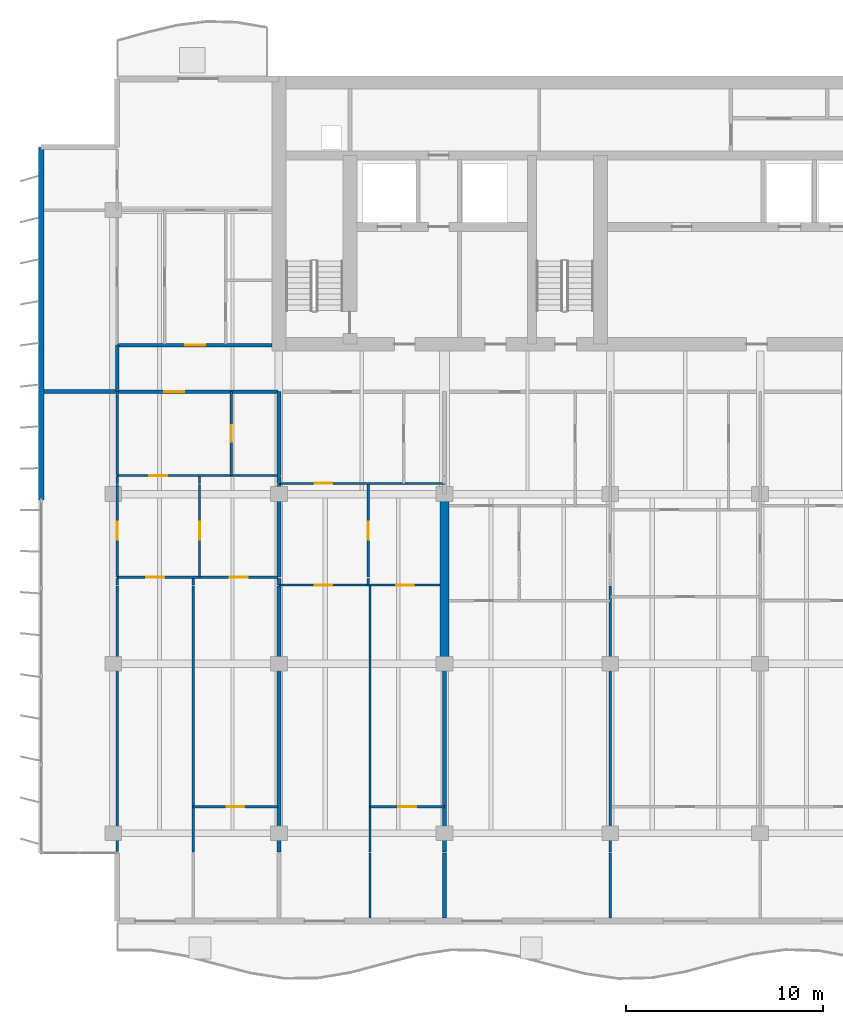
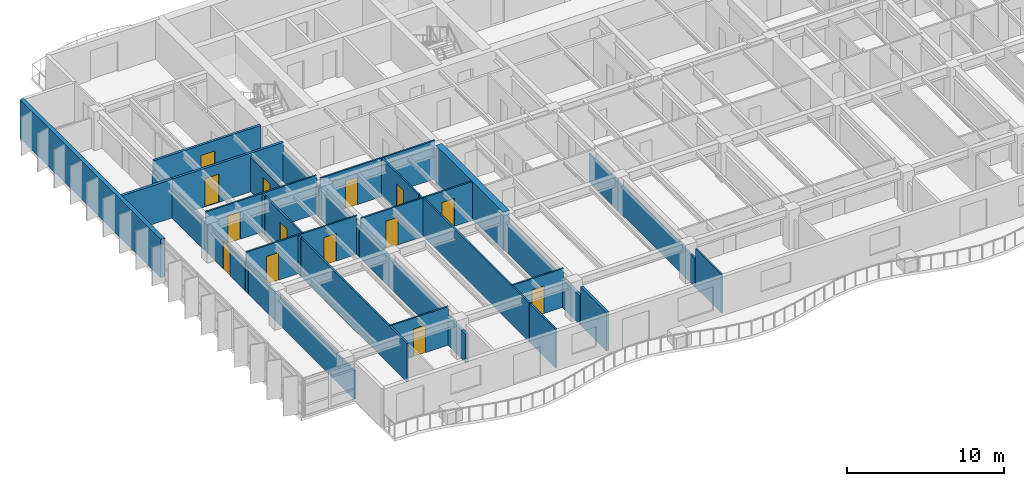
# One storey, part 8 of 18: 35 walls, 14 doors, 14 openings.
"""IFC4 building model written with IfcOpenShell, lengths in metres."""

from ifc_helpers import new_model, si_unit, direction, frame, frame_2d, origin, place, context, subcontext, project, spatial, rectangle, extrude, material, layer, layer_set, type_object, element, fill, save


model = new_model("IFC4")

# Units and contexts
model_context = context("Model", 3, precision=1e-05, world=origin(), true_north=direction((0.0, 1.0)))
body_context = subcontext(model_context, "Body", "Model", "MODEL_VIEW")
ifc_project = project(units=[si_unit("LENGTHUNIT", "METRE"), si_unit("AREAUNIT", "SQUARE_METRE"), si_unit("VOLUMEUNIT", "CUBIC_METRE"), si_unit("PLANEANGLEUNIT", "RADIAN"), si_unit("MASSUNIT", "GRAM", prefix="KILO")], contexts=[model_context])

# Site, building, storey
site_placement = place(None, origin())
site = spatial("IfcSite", under=ifc_project, at=site_placement, CompositionType="ELEMENT")
building_placement = place(site_placement, origin())
building = spatial("IfcBuilding", under=site, at=building_placement, Name="Caelmar Bay Residences", CompositionType="ELEMENT")
storey_placement = place(building_placement, frame((0.0, 0.0, 180.300048828125)))
storey = spatial("IfcBuildingStorey", under=building, at=storey_placement, Name="L50", CompositionType="ELEMENT", Elevation=180.300048828125)

# Walls
ifc_material_1 = material(Name="Concrete f'c 55 MPa (8,000 psi)", Category="concrete")
ifc_layer_1 = layer(ifc_material_1, 0.449951171875)
ifc_layer_set_1 = layer_set([ifc_layer_1], Name="Concrete f'c 55 MPa (8,000 psi)")
wall_type_1 = type_object("IfcWallType", Name="SW-XSLB-450", PredefinedType="SHEAR", material=ifc_layer_set_1)
wall_1_placement = place(storey_placement, frame((26.699951171875, 20.800048828125, 0.0), z_axis=(0.0, 0.0, 1.0), x_axis=(0.0, 1.0, 0.0)))
element("IfcWall", 1, at=wall_1_placement, inside=storey, type_object=wall_type_1, Name="L50 Transverse Cross-Slab Shear Wall W5", PredefinedType="SHEAR", context=body_context, shape_type="SweptSolid", body=[
    extrude(rectangle(XDim=8.599853515625, YDim=0.449951171875, at=frame_2d((4.2998046875, 0.0))), origin(), (0.0, 0.0, 1.0), 3.0),
])
ifc_material_2 = material(Name="Double-stud acoustic fire-rated gypsum partition 180 mm")
ifc_layer_2 = layer(ifc_material_2, 0.179931640625)
ifc_layer_set_2 = layer_set([ifc_layer_2], Name="Double-stud acoustic fire-rated gypsum partition 180 mm")
wall_type_2 = type_object("IfcWallType", Name="W-COR-200", PredefinedType="PARTITIONING", material=ifc_layer_set_2)
wall_2_placement = place(storey_placement, frame((10.10009765625, 34.60498046875, 0.0), z_axis=(0.0, 0.0, 1.0), x_axis=(0.0, 1.0, 0.0)))
element("IfcWall", 2, at=wall_2_placement, inside=storey, type_object=wall_type_2, Name="L50 Partition Wall V006", PredefinedType="PARTITIONING", context=body_context, shape_type="SweptSolid", body=[
    extrude(rectangle(XDim=2.344970703125, YDim=0.179931640625, at=frame_2d((1.17236328125, 0.0))), origin(), (0.0, 0.0, 1.0), 2.212890625),
])

# Wall, opening, door
wall_3_placement = place(storey_placement, frame((10.10498046875, 34.60009765625, 0.0), z_axis=(0.0, 0.0, 1.0), x_axis=(1.0, 0.0, 0.0)))
wall_3 = element("IfcWall", 3, at=wall_3_placement, inside=storey, type_object=wall_type_2, Name="L50 Partition Wall H129", PredefinedType="PARTITIONING", context=body_context, shape_type="SweptSolid", body=[
    extrude(rectangle(XDim=8.14501953125, YDim=0.179931640625, at=frame_2d((4.072509765625, 0.0))), origin(), (0.0, 0.0, 1.0), 3.0),
])
opening_1_placement = place(wall_3_placement, frame((2.388427734375, 0.0, 0.0)))
opening_1 = element("IfcOpeningElement", 4, at=opening_1_placement, cuts=wall_3, Name="Opening D-L50-121", PredefinedType="OPENING", context=body_context, shape_type="SweptSolid", body=[
    extrude(rectangle(XDim=1.0, YDim=2.199951171875, at=frame_2d((0.5, 1.10009765625))), frame((0.0, 0.099853515625, 0.0), z_axis=(0.0, -1.0, 0.0), x_axis=(1.0, 0.0, 0.0)), (0.0, 0.0, 1.0), 0.199951171875),
])
ifc_material_3 = material(Name="Fire-rated steel and walnut architectural door assembly", Category="steel")
ifc_layer_3 = layer(ifc_material_3, 0.050048828125)
ifc_layer_set_3 = layer_set([ifc_layer_3], Name="Fire-rated steel and walnut architectural door assembly")
door_type_1 = type_object("IfcDoorType", Name="D-UNIT-1000", OperationType="NOTDEFINED", PredefinedType="DOOR", material=ifc_layer_set_3)
door_1_placement = place(opening_1_placement, origin())
door_1 = element("IfcDoor", 5, at=door_1_placement, inside=storey, type_object=door_type_1, Name="L50 Residence 01 Apartment Hall Door", OperationType="SINGLE_SWING_RIGHT", OverallHeight=2.199951171875, OverallWidth=1.0, PredefinedType="DOOR", context=body_context, shape_type="SweptSolid", body=[
    extrude(rectangle(XDim=1.0, YDim=2.199951171875, at=frame_2d((0.5, 1.10009765625))), frame((0.0, 0.02490234375, 0.0), z_axis=(0.0, -1.0, 0.0), x_axis=(1.0, 0.0, 0.0)), (0.0, 0.0, 1.0), 0.050048828125),
])
fill(opening_1, door_1)

wall_4_placement = place(storey_placement, frame((10.10009765625, 36.949951171875, 0.0), z_axis=(0.0, 0.0, 1.0), x_axis=(1.0, 0.0, 0.0)))
wall_4 = element("IfcWall", 6, at=wall_4_placement, inside=storey, type_object=wall_type_2, Name="L50 Partition Wall H134", PredefinedType="PARTITIONING", context=body_context, shape_type="SweptSolid", body=[
    extrude(rectangle(XDim=7.844970703125, YDim=0.179931640625, at=frame_2d((3.92236328125, 0.0))), origin(), (0.0, 0.0, 1.0), 3.0),
])
opening_2_placement = place(wall_4_placement, frame((3.4599609375, 0.0, 0.0)))
opening_2 = element("IfcOpeningElement", 7, at=opening_2_placement, cuts=wall_4, Name="Opening D-L50-167", PredefinedType="OPENING", context=body_context, shape_type="SweptSolid", body=[
    extrude(rectangle(XDim=1.0, YDim=2.199951171875, at=frame_2d((0.5, 1.10009765625))), frame((0.0, 0.099853515625, 0.0), z_axis=(0.0, -1.0, 0.0), x_axis=(1.0, 0.0, 0.0)), (0.0, 0.0, 1.0), 0.199951171875),
])
door_2_placement = place(opening_2_placement, origin())
door_2 = element("IfcDoor", 8, at=door_2_placement, inside=storey, type_object=door_type_1, Name="L50 Residence WA Kitchen Door", OperationType="SINGLE_SWING_RIGHT", OverallHeight=2.199951171875, OverallWidth=1.0, PredefinedType="DOOR", context=body_context, shape_type="SweptSolid", body=[
    extrude(rectangle(XDim=1.0, YDim=2.199951171875, at=frame_2d((0.5, 1.10009765625))), frame((0.0, 0.02490234375, 0.0), z_axis=(0.0, -1.0, 0.0), x_axis=(1.0, 0.0, 0.0)), (0.0, 0.0, 1.0), 0.050048828125),
])
fill(opening_2, door_2)

# Walls
ifc_material_4 = material(Name="Precast concrete f'c 40 MPa (6,000 psi)", Category="concrete")
ifc_layer_4 = layer(ifc_material_4, 0.300048828125)
ifc_layer_set_4 = layer_set([ifc_layer_4], Name="Precast concrete f'c 40 MPa (6,000 psi)")
wall_type_3 = type_object("IfcWallType", Name="W-EXT-300", PredefinedType="STANDARD", material=ifc_layer_set_4)
wall_5_placement = place(storey_placement, frame((6.25, 29.10009765625, 0.0), z_axis=(0.0, 0.0, 1.0), x_axis=(0.0, 1.0, 0.0)))
element("IfcWall", 9, at=wall_5_placement, inside=storey, type_object=wall_type_3, Name="L50 West Rear Exterior Wall", PredefinedType="STANDARD", context=body_context, shape_type="SweptSolid", body=[
    extrude(rectangle(XDim=17.89990234375, YDim=0.300048828125, at=frame_2d((8.949951171875, 0.0))), origin(), (0.0, 0.0, 1.0), 3.0),
])
ifc_material_5 = material(Name="Acoustic metal-stud gypsum partition 120 mm")
ifc_layer_5 = layer(ifc_material_5, 0.1201171875)
ifc_layer_set_5 = layer_set([ifc_layer_5], Name="Acoustic metal-stud gypsum partition 120 mm")
wall_type_4 = type_object("IfcWallType", Name="W-PRT-120", PredefinedType="PARTITIONING", material=ifc_layer_set_5)
wall_6_placement = place(storey_placement, frame((10.10009765625, 11.284912109375, 0.0), z_axis=(0.0, 0.0, 1.0), x_axis=(0.0, 1.0, 0.0)))
element("IfcWall", 10, at=wall_6_placement, inside=storey, type_object=wall_type_4, Name="L50 Partition Wall V001", PredefinedType="PARTITIONING", context=body_context, shape_type="SweptSolid", body=[
    extrude(rectangle(XDim=13.445068359375, YDim=0.1201171875, at=frame_2d((6.72265625, 0.0))), origin(), (0.0, 0.0, 1.0), 2.212890625),
])
wall_7_placement = place(storey_placement, frame((10.10009765625, 24.7900390625, 0.0), z_axis=(0.0, 0.0, 1.0), x_axis=(0.0, 1.0, 0.0)))
element("IfcWall", 11, at=wall_7_placement, inside=storey, type_object=wall_type_4, Name="L50 Partition Wall V002", PredefinedType="PARTITIONING", context=body_context, shape_type="SweptSolid", body=[
    extrude(rectangle(XDim=0.33984375, YDim=0.1201171875, at=frame_2d((0.169921875, 0.0))), origin(), (0.0, 0.0, 1.0), 2.212890625),
])

# Wall, opening, door
wall_8_placement = place(storey_placement, frame((10.10009765625, 25.18994140625, 0.0), z_axis=(0.0, 0.0, 1.0), x_axis=(0.0, 1.0, 0.0)))
wall_8 = element("IfcWall", 12, at=wall_8_placement, inside=storey, type_object=wall_type_4, Name="L50 Partition Wall V003", PredefinedType="PARTITIONING", context=body_context, shape_type="SweptSolid", body=[
    extrude(rectangle(XDim=4.68994140625, YDim=0.1201171875, at=frame_2d((2.344970703125, 0.0))), origin(), (0.0, 0.0, 1.0), 2.212890625),
])
opening_3_placement = place(wall_8_placement, frame((1.89501953125, 0.0, 0.0)))
opening_3 = element("IfcOpeningElement", 13, at=opening_3_placement, cuts=wall_8, Name="Opening D-L50-164", PredefinedType="OPENING", context=body_context, shape_type="SweptSolid", body=[
    extrude(rectangle(XDim=0.89990234375, YDim=2.14990234375, at=frame_2d((0.449951171875, 1.074951171875))), frame((0.0, 0.070068359375, 0.0), z_axis=(0.0, -1.0, 0.0), x_axis=(1.0, 0.0, 0.0)), (0.0, 0.0, 1.0), 0.14013671875),
])
ifc_material_6 = material(Name="Solid walnut timber interior door leaf and frame", Category="wood")
ifc_layer_6 = layer(ifc_material_6, 0.050048828125)
ifc_layer_set_6 = layer_set([ifc_layer_6], Name="Solid walnut timber interior door leaf and frame")
door_type_2 = type_object("IfcDoorType", Name="D-ROOM-900", OperationType="NOTDEFINED", PredefinedType="DOOR", material=ifc_layer_set_6)
door_3_placement = place(opening_3_placement, origin())
door_3 = element("IfcDoor", 14, at=door_3_placement, inside=storey, type_object=door_type_2, Name="L50 Residence 01 Penthouse West Salon Door", OperationType="SINGLE_SWING_LEFT", OverallHeight=2.14990234375, OverallWidth=0.89990234375, PredefinedType="DOOR", context=body_context, shape_type="SweptSolid", body=[
    extrude(rectangle(XDim=0.89990234375, YDim=2.14990234375, at=frame_2d((0.449951171875, 1.074951171875))), frame((0.0, 0.02490234375, 0.0), z_axis=(0.0, -1.0, 0.0), x_axis=(1.0, 0.0, 0.0)), (0.0, 0.0, 1.0), 0.050048828125),
])
fill(opening_3, door_3)

# Walls
wall_9_placement = place(storey_placement, frame((10.10009765625, 29.93994140625, 0.0), z_axis=(0.0, 0.0, 1.0), x_axis=(0.0, 1.0, 0.0)))
element("IfcWall", 15, at=wall_9_placement, inside=storey, type_object=wall_type_4, Name="L50 Partition Wall V004", PredefinedType="PARTITIONING", context=body_context, shape_type="SweptSolid", body=[
    extrude(rectangle(XDim=0.340087890625, YDim=0.1201171875, at=frame_2d((0.169921875, 0.0))), origin(), (0.0, 0.0, 1.0), 2.212890625),
])
wall_10_placement = place(storey_placement, frame((10.10009765625, 30.340087890625, 0.0), z_axis=(0.0, 0.0, 1.0), x_axis=(0.0, 1.0, 0.0)))
element("IfcWall", 16, at=wall_10_placement, inside=storey, type_object=wall_type_4, Name="L50 Partition Wall V005", PredefinedType="PARTITIONING", context=body_context, shape_type="SweptSolid", body=[
    extrude(rectangle(XDim=4.260009765625, YDim=0.1201171875, at=frame_2d((2.1298828125, 0.0))), origin(), (0.0, 0.0, 1.0), 2.212890625),
])
wall_11_placement = place(storey_placement, frame((13.9541015625, 11.239990234375, 0.0), z_axis=(0.0, 0.0, 1.0), x_axis=(0.0, 1.0, 0.0)))
element("IfcWall", 17, at=wall_11_placement, inside=storey, type_object=wall_type_4, Name="L50 Partition Wall V011", PredefinedType="PARTITIONING", context=body_context, shape_type="SweptSolid", body=[
    extrude(rectangle(XDim=13.489990234375, YDim=0.1201171875, at=frame_2d((6.7451171875, 0.0))), origin(), (0.0, 0.0, 1.0), 3.0),
])
wall_12_placement = place(storey_placement, frame((13.9541015625, 24.7900390625, 0.0), z_axis=(0.0, 0.0, 1.0), x_axis=(0.0, 1.0, 0.0)))
element("IfcWall", 18, at=wall_12_placement, inside=storey, type_object=wall_type_4, Name="L50 Partition Wall V012", PredefinedType="PARTITIONING", context=body_context, shape_type="SweptSolid", body=[
    extrude(rectangle(XDim=0.33984375, YDim=0.1201171875, at=frame_2d((0.169921875, 0.0))), origin(), (0.0, 0.0, 1.0), 3.0),
])

# Wall, opening, door
wall_13_placement = place(storey_placement, frame((14.278076171875, 25.18994140625, 0.0), z_axis=(0.0, 0.0, 1.0), x_axis=(0.0, 1.0, 0.0)))
wall_13 = element("IfcWall", 19, at=wall_13_placement, inside=storey, type_object=wall_type_4, Name="L50 Partition Wall V013", PredefinedType="PARTITIONING", context=body_context, shape_type="SweptSolid", body=[
    extrude(rectangle(XDim=4.68994140625, YDim=0.1201171875, at=frame_2d((2.344970703125, 0.0))), origin(), (0.0, 0.0, 1.0), 3.0),
])
opening_4_placement = place(wall_13_placement, frame((1.89501953125, 0.0, 0.0)))
opening_4 = element("IfcOpeningElement", 20, at=opening_4_placement, cuts=wall_13, Name="Opening D-L50-124", PredefinedType="OPENING", context=body_context, shape_type="SweptSolid", body=[
    extrude(rectangle(XDim=0.89990234375, YDim=2.14990234375, at=frame_2d((0.449951171875, 1.074951171875))), frame((0.0, 0.070068359375, 0.0), z_axis=(0.0, -1.0, 0.0), x_axis=(1.0, 0.0, 0.0)), (0.0, 0.0, 1.0), 0.14013671875),
])
door_4_placement = place(opening_4_placement, origin())
door_4 = element("IfcDoor", 21, at=door_4_placement, inside=storey, type_object=door_type_2, Name="L50 Residence 01 Formal Dining Room Door", OperationType="SINGLE_SWING_LEFT", OverallHeight=2.14990234375, OverallWidth=0.89990234375, PredefinedType="DOOR", context=body_context, shape_type="SweptSolid", body=[
    extrude(rectangle(XDim=0.89990234375, YDim=2.14990234375, at=frame_2d((0.449951171875, 1.074951171875))), frame((0.0, 0.02490234375, 0.0), z_axis=(0.0, -1.0, 0.0), x_axis=(1.0, 0.0, 0.0)), (0.0, 0.0, 1.0), 0.050048828125),
])
fill(opening_4, door_4)

# Wall
wall_14_placement = place(storey_placement, frame((14.278076171875, 29.93994140625, 0.0), z_axis=(0.0, 0.0, 1.0), x_axis=(0.0, 1.0, 0.0)))
element("IfcWall", 22, at=wall_14_placement, inside=storey, type_object=wall_type_4, Name="L50 Partition Wall V014", PredefinedType="PARTITIONING", context=body_context, shape_type="SweptSolid", body=[
    extrude(rectangle(XDim=0.340087890625, YDim=0.1201171875, at=frame_2d((0.169921875, 0.0))), origin(), (0.0, 0.0, 1.0), 3.0),
])

# Wall, opening, door
wall_15_placement = place(storey_placement, frame((15.882080078125, 30.340087890625, 0.0), z_axis=(0.0, 0.0, 1.0), x_axis=(0.0, 1.0, 0.0)))
wall_15 = element("IfcWall", 23, at=wall_15_placement, inside=storey, type_object=wall_type_4, Name="L50 Partition Wall V016", PredefinedType="PARTITIONING", context=body_context, shape_type="SweptSolid", body=[
    extrude(rectangle(XDim=4.260009765625, YDim=0.1201171875, at=frame_2d((2.1298828125, 0.0))), origin(), (0.0, 0.0, 1.0), 2.675048828125),
])
opening_5_placement = place(wall_15_placement, frame((1.705078125, 0.0, 0.0)))
opening_5 = element("IfcOpeningElement", 24, at=opening_5_placement, cuts=wall_15, Name="Opening D-L50-122", PredefinedType="OPENING", context=body_context, shape_type="SweptSolid", body=[
    extrude(rectangle(XDim=0.85009765625, YDim=2.10009765625, at=frame_2d((0.425048828125, 1.050048828125))), frame((0.0, 0.070068359375, 0.0), z_axis=(0.0, -1.0, 0.0), x_axis=(1.0, 0.0, 0.0)), (0.0, 0.0, 1.0), 0.14013671875),
])
ifc_layer_7 = layer(ifc_material_6, 0.050048828125)
ifc_layer_set_7 = layer_set([ifc_layer_7], Name="Solid walnut timber interior door leaf and frame")
door_type_3 = type_object("IfcDoorType", Name="D-BATH-850", OperationType="NOTDEFINED", PredefinedType="DOOR", material=ifc_layer_set_7)
door_5_placement = place(opening_5_placement, origin())
door_5 = element("IfcDoor", 25, at=door_5_placement, inside=storey, type_object=door_type_3, Name="L50 Residence 01 Bathroom Door", OperationType="SINGLE_SWING_LEFT", OverallHeight=2.10009765625, OverallWidth=0.85009765625, PredefinedType="DOOR", context=body_context, shape_type="SweptSolid", body=[
    extrude(rectangle(XDim=0.85009765625, YDim=2.10009765625, at=frame_2d((0.425048828125, 1.050048828125))), frame((0.0, 0.02490234375, 0.0), z_axis=(0.0, -1.0, 0.0), x_axis=(1.0, 0.0, 0.0)), (0.0, 0.0, 1.0), 0.050048828125),
])
fill(opening_5, door_5)

# Wall
wall_16_placement = place(storey_placement, frame((22.8359375, 24.7900390625, 0.0), z_axis=(0.0, 0.0, 1.0), x_axis=(0.0, 1.0, 0.0)))
element("IfcWall", 26, at=wall_16_placement, inside=storey, type_object=wall_type_4, Name="L50 Partition Wall V024", PredefinedType="PARTITIONING", context=body_context, shape_type="SweptSolid", body=[
    extrude(rectangle(XDim=0.33984375, YDim=0.1201171875, at=frame_2d((0.169921875, 0.0))), origin(), (0.0, 0.0, 1.0), 3.0),
])

# Wall, opening, door
wall_17_placement = place(storey_placement, frame((22.8359375, 25.18994140625, 0.0), z_axis=(0.0, 0.0, 1.0), x_axis=(0.0, 1.0, 0.0)))
wall_17 = element("IfcWall", 27, at=wall_17_placement, inside=storey, type_object=wall_type_4, Name="L50 Partition Wall V025", PredefinedType="PARTITIONING", context=body_context, shape_type="SweptSolid", body=[
    extrude(rectangle(XDim=4.68994140625, YDim=0.1201171875, at=frame_2d((2.344970703125, 0.0))), origin(), (0.0, 0.0, 1.0), 3.0),
])
opening_6_placement = place(wall_17_placement, frame((1.89501953125, 0.0, 0.0)))
opening_6 = element("IfcOpeningElement", 28, at=opening_6_placement, cuts=wall_17, Name="Opening D-L50-131", PredefinedType="OPENING", context=body_context, shape_type="SweptSolid", body=[
    extrude(rectangle(XDim=0.89990234375, YDim=2.14990234375, at=frame_2d((0.449951171875, 1.074951171875))), frame((0.0, 0.070068359375, 0.0), z_axis=(0.0, -1.0, 0.0), x_axis=(1.0, 0.0, 0.0)), (0.0, 0.0, 1.0), 0.14013671875),
])
door_6_placement = place(opening_6_placement, origin())
door_6 = element("IfcDoor", 29, at=door_6_placement, inside=storey, type_object=door_type_2, Name="L50 Residence 02 Formal Dining Room Door", OperationType="SINGLE_SWING_RIGHT", OverallHeight=2.14990234375, OverallWidth=0.89990234375, PredefinedType="DOOR", context=body_context, shape_type="SweptSolid", body=[
    extrude(rectangle(XDim=0.89990234375, YDim=2.14990234375, at=frame_2d((0.449951171875, 1.074951171875))), frame((0.0, 0.02490234375, 0.0), z_axis=(0.0, -1.0, 0.0), x_axis=(1.0, 0.0, 0.0)), (0.0, 0.0, 1.0), 0.050048828125),
])
fill(opening_6, door_6)

# Walls
wall_18_placement = place(storey_placement, frame((22.919921875, 7.89501953125, 0.0), z_axis=(0.0, 0.0, 1.0), x_axis=(0.0, 1.0, 0.0)))
element("IfcWall", 30, at=wall_18_placement, inside=storey, type_object=wall_type_4, Name="L50 Partition Wall V026", PredefinedType="PARTITIONING", context=body_context, shape_type="SweptSolid", body=[
    extrude(rectangle(XDim=3.304931640625, YDim=0.1201171875, at=frame_2d((1.65234375, 0.0))), origin(), (0.0, 0.0, 1.0), 3.0),
])
wall_19_placement = place(storey_placement, frame((22.919921875, 11.239990234375, 0.0), z_axis=(0.0, 0.0, 1.0), x_axis=(0.0, 1.0, 0.0)))
element("IfcWall", 31, at=wall_19_placement, inside=storey, type_object=wall_type_4, Name="L50 Partition Wall V027", PredefinedType="PARTITIONING", context=body_context, shape_type="SweptSolid", body=[
    extrude(rectangle(XDim=13.489990234375, YDim=0.1201171875, at=frame_2d((6.7451171875, 0.0))), origin(), (0.0, 0.0, 1.0), 3.0),
])
wall_20_placement = place(storey_placement, frame((35.10009765625, 7.89501953125, 0.0), z_axis=(0.0, 0.0, 1.0), x_axis=(0.0, 1.0, 0.0)))
element("IfcWall", 32, at=wall_20_placement, inside=storey, type_object=wall_type_4, Name="L50 Partition Wall V045", PredefinedType="PARTITIONING", context=body_context, shape_type="SweptSolid", body=[
    extrude(rectangle(XDim=3.304931640625, YDim=0.1201171875, at=frame_2d((1.65234375, 0.0))), origin(), (0.0, 0.0, 1.0), 3.0),
])
wall_21_placement = place(storey_placement, frame((35.10009765625, 11.239990234375, 0.0), z_axis=(0.0, 0.0, 1.0), x_axis=(0.0, 1.0, 0.0)))
element("IfcWall", 33, at=wall_21_placement, inside=storey, type_object=wall_type_4, Name="L50 Partition Wall V046", PredefinedType="PARTITIONING", context=body_context, shape_type="SweptSolid", body=[
    extrude(rectangle(XDim=13.489990234375, YDim=0.1201171875, at=frame_2d((6.7451171875, 0.0))), origin(), (0.0, 0.0, 1.0), 2.212890625),
])

# Wall, opening, door
wall_22_placement = place(storey_placement, frame((13.9541015625, 13.550048828125, 0.0), z_axis=(0.0, 0.0, 1.0), x_axis=(1.0, 0.0, 0.0)))
wall_22 = element("IfcWall", 34, at=wall_22_placement, inside=storey, type_object=wall_type_4, Name="L50 Partition Wall H106", PredefinedType="PARTITIONING", context=body_context, shape_type="SweptSolid", body=[
    extrude(rectangle(XDim=4.2958984375, YDim=0.1201171875, at=frame_2d((2.14794921875, 0.0))), origin(), (0.0, 0.0, 1.0), 3.0),
])
opening_7_placement = place(wall_22_placement, frame((1.697998046875, 0.0, 0.0)))
opening_7 = element("IfcOpeningElement", 35, at=opening_7_placement, cuts=wall_22, Name="Opening D-L50-127", PredefinedType="OPENING", context=body_context, shape_type="SweptSolid", body=[
    extrude(rectangle(XDim=0.89990234375, YDim=2.14990234375, at=frame_2d((0.449951171875, 1.074951171875))), frame((0.0, 0.070068359375, 0.0), z_axis=(0.0, -1.0, 0.0), x_axis=(1.0, 0.0, 0.0)), (0.0, 0.0, 1.0), 0.14013671875),
])
door_7_placement = place(opening_7_placement, origin())
door_7 = element("IfcDoor", 36, at=door_7_placement, inside=storey, type_object=door_type_2, Name="L50 Residence 01 Primary Bedroom Door", OperationType="SINGLE_SWING_RIGHT", OverallHeight=2.14990234375, OverallWidth=0.89990234375, PredefinedType="DOOR", context=body_context, shape_type="SweptSolid", body=[
    extrude(rectangle(XDim=0.89990234375, YDim=2.14990234375, at=frame_2d((0.449951171875, 1.074951171875))), frame((0.0, 0.02490234375, 0.0), z_axis=(0.0, -1.0, 0.0), x_axis=(1.0, 0.0, 0.0)), (0.0, 0.0, 1.0), 0.050048828125),
])
fill(opening_7, door_7)

wall_23_placement = place(storey_placement, frame((22.919921875, 13.550048828125, 0.0), z_axis=(0.0, 0.0, 1.0), x_axis=(1.0, 0.0, 0.0)))
wall_23 = element("IfcWall", 37, at=wall_23_placement, inside=storey, type_object=wall_type_4, Name="L50 Partition Wall H107", PredefinedType="PARTITIONING", context=body_context, shape_type="SweptSolid", body=[
    extrude(rectangle(XDim=3.780029296875, YDim=0.1201171875, at=frame_2d((1.89013671875, 0.0))), origin(), (0.0, 0.0, 1.0), 3.0),
])
opening_8_placement = place(wall_23_placement, frame((1.43994140625, 0.0, 0.0)))
opening_8 = element("IfcOpeningElement", 38, at=opening_8_placement, cuts=wall_23, Name="Opening D-L50-134", PredefinedType="OPENING", context=body_context, shape_type="SweptSolid", body=[
    extrude(rectangle(XDim=0.89990234375, YDim=2.14990234375, at=frame_2d((0.449951171875, 1.074951171875))), frame((0.0, 0.070068359375, 0.0), z_axis=(0.0, -1.0, 0.0), x_axis=(1.0, 0.0, 0.0)), (0.0, 0.0, 1.0), 0.14013671875),
])
door_8_placement = place(opening_8_placement, origin())
door_8 = element("IfcDoor", 39, at=door_8_placement, inside=storey, type_object=door_type_2, Name="L50 Residence 02 Primary Bedroom Door", OperationType="SINGLE_SWING_LEFT", OverallHeight=2.14990234375, OverallWidth=0.89990234375, PredefinedType="DOOR", context=body_context, shape_type="SweptSolid", body=[
    extrude(rectangle(XDim=0.89990234375, YDim=2.14990234375, at=frame_2d((0.449951171875, 1.074951171875))), frame((0.0, 0.02490234375, 0.0), z_axis=(0.0, -1.0, 0.0), x_axis=(1.0, 0.0, 0.0)), (0.0, 0.0, 1.0), 0.050048828125),
])
fill(opening_8, door_8)

# Wall, openings, doors
wall_24_placement = place(storey_placement, frame((18.300048828125, 24.7900390625, 0.0), z_axis=(0.0, 0.0, 1.0), x_axis=(1.0, 0.0, 0.0)))
wall_24 = element("IfcWall", 40, at=wall_24_placement, inside=storey, type_object=wall_type_4, Name="L50 Partition Wall H116", PredefinedType="PARTITIONING", context=body_context, shape_type="SweptSolid", body=[
    extrude(rectangle(XDim=8.179931640625, YDim=0.1201171875, at=frame_2d((4.08984375, 0.0))), origin(), (0.0, 0.0, 1.0), 3.0),
])
opening_9_placement = place(wall_24_placement, frame((1.818115234375, 0.0, 0.0)))
opening_9 = element("IfcOpeningElement", 41, at=opening_9_placement, cuts=wall_24, Name="Opening D-L50-132", PredefinedType="OPENING", context=body_context, shape_type="SweptSolid", body=[
    extrude(rectangle(XDim=0.89990234375, YDim=2.14990234375, at=frame_2d((0.449951171875, 1.074951171875))), frame((0.0, 0.070068359375, 0.0), z_axis=(0.0, -1.0, 0.0), x_axis=(1.0, 0.0, 0.0)), (0.0, 0.0, 1.0), 0.14013671875),
])
opening_10_placement = place(wall_24_placement, frame((5.949951171875, 0.0, 0.0)))
opening_10 = element("IfcOpeningElement", 42, at=opening_10_placement, cuts=wall_24, Name="Opening D-L50-133", PredefinedType="OPENING", context=body_context, shape_type="SweptSolid", body=[
    extrude(rectangle(XDim=0.89990234375, YDim=2.14990234375, at=frame_2d((0.449951171875, 1.074951171875))), frame((0.0, 0.070068359375, 0.0), z_axis=(0.0, -1.0, 0.0), x_axis=(1.0, 0.0, 0.0)), (0.0, 0.0, 1.0), 0.14013671875),
])
door_9_placement = place(opening_9_placement, origin())
door_9 = element("IfcDoor", 43, at=door_9_placement, inside=storey, type_object=door_type_2, Name="L50 Residence 02 Penthouse Living Salon Door", OperationType="SINGLE_SWING_LEFT", OverallHeight=2.14990234375, OverallWidth=0.89990234375, PredefinedType="DOOR", context=body_context, shape_type="SweptSolid", body=[
    extrude(rectangle(XDim=0.89990234375, YDim=2.14990234375, at=frame_2d((0.449951171875, 1.074951171875))), frame((0.0, 0.02490234375, 0.0), z_axis=(0.0, -1.0, 0.0), x_axis=(1.0, 0.0, 0.0)), (0.0, 0.0, 1.0), 0.050048828125),
])
fill(opening_9, door_9)
door_10_placement = place(opening_10_placement, origin())
door_10 = element("IfcDoor", 44, at=door_10_placement, inside=storey, type_object=door_type_2, Name="L50 Residence 02 Penthouse Sitting Room Door", OperationType="SINGLE_SWING_RIGHT", OverallHeight=2.14990234375, OverallWidth=0.89990234375, PredefinedType="DOOR", context=body_context, shape_type="SweptSolid", body=[
    extrude(rectangle(XDim=0.89990234375, YDim=2.14990234375, at=frame_2d((0.449951171875, 1.074951171875))), frame((0.0, 0.02490234375, 0.0), z_axis=(0.0, -1.0, 0.0), x_axis=(1.0, 0.0, 0.0)), (0.0, 0.0, 1.0), 0.050048828125),
])
fill(opening_10, door_10)

wall_25_placement = place(storey_placement, frame((10.10009765625, 25.18994140625, 0.0), z_axis=(0.0, 0.0, 1.0), x_axis=(1.0, 0.0, 0.0)))
wall_25 = element("IfcWall", 45, at=wall_25_placement, inside=storey, type_object=wall_type_4, Name="L50 Partition Wall H119", PredefinedType="PARTITIONING", context=body_context, shape_type="SweptSolid", body=[
    extrude(rectangle(XDim=8.14990234375, YDim=0.1201171875, at=frame_2d((4.074951171875, 0.0))), origin(), (0.0, 0.0, 1.0), 3.0),
])
opening_11_placement = place(wall_25_placement, frame((1.47705078125, 0.0, 0.0)))
opening_11 = element("IfcOpeningElement", 46, at=opening_11_placement, cuts=wall_25, Name="Opening D-L50-125", PredefinedType="OPENING", context=body_context, shape_type="SweptSolid", body=[
    extrude(rectangle(XDim=0.89990234375, YDim=2.14990234375, at=frame_2d((0.449951171875, 1.074951171875))), frame((0.0, 0.070068359375, 0.0), z_axis=(0.0, -1.0, 0.0), x_axis=(1.0, 0.0, 0.0)), (0.0, 0.0, 1.0), 0.14013671875),
])
opening_12_placement = place(wall_25_placement, frame((5.714111328125, 0.0, 0.0)))
opening_12 = element("IfcOpeningElement", 47, at=opening_12_placement, cuts=wall_25, Name="Opening D-L50-126", PredefinedType="OPENING", context=body_context, shape_type="SweptSolid", body=[
    extrude(rectangle(XDim=0.89990234375, YDim=2.14990234375, at=frame_2d((0.449951171875, 1.074951171875))), frame((0.0, 0.070068359375, 0.0), z_axis=(0.0, -1.0, 0.0), x_axis=(1.0, 0.0, 0.0)), (0.0, 0.0, 1.0), 0.14013671875),
])
door_11_placement = place(opening_11_placement, origin())
door_11 = element("IfcDoor", 48, at=door_11_placement, inside=storey, type_object=door_type_2, Name="L50 Residence 01 Living Room Door", OperationType="SINGLE_SWING_RIGHT", OverallHeight=2.14990234375, OverallWidth=0.89990234375, PredefinedType="DOOR", context=body_context, shape_type="SweptSolid", body=[
    extrude(rectangle(XDim=0.89990234375, YDim=2.14990234375, at=frame_2d((0.449951171875, 1.074951171875))), frame((0.0, 0.02490234375, 0.0), z_axis=(0.0, -1.0, 0.0), x_axis=(1.0, 0.0, 0.0)), (0.0, 0.0, 1.0), 0.050048828125),
])
fill(opening_11, door_11)
door_12_placement = place(opening_12_placement, origin())
door_12 = element("IfcDoor", 49, at=door_12_placement, inside=storey, type_object=door_type_2, Name="L50 Residence 01 Penthouse Sitting Room Door", OperationType="SINGLE_SWING_LEFT", OverallHeight=2.14990234375, OverallWidth=0.89990234375, PredefinedType="DOOR", context=body_context, shape_type="SweptSolid", body=[
    extrude(rectangle(XDim=0.89990234375, YDim=2.14990234375, at=frame_2d((0.449951171875, 1.074951171875))), frame((0.0, 0.02490234375, 0.0), z_axis=(0.0, -1.0, 0.0), x_axis=(1.0, 0.0, 0.0)), (0.0, 0.0, 1.0), 0.050048828125),
])
fill(opening_12, door_12)

# Wall, opening, door
wall_26_placement = place(storey_placement, frame((18.300048828125, 29.93994140625, 0.0), z_axis=(0.0, 0.0, 1.0), x_axis=(1.0, 0.0, 0.0)))
wall_26 = element("IfcWall", 50, at=wall_26_placement, inside=storey, type_object=wall_type_4, Name="L50 Partition Wall H124", PredefinedType="PARTITIONING", context=body_context, shape_type="SweptSolid", body=[
    extrude(rectangle(XDim=8.39990234375, YDim=0.1201171875, at=frame_2d((4.199951171875, 0.0))), origin(), (0.0, 0.0, 1.0), 3.0),
])
opening_13_placement = place(wall_26_placement, frame((1.818115234375, 0.0, 0.0)))
opening_13 = element("IfcOpeningElement", 51, at=opening_13_placement, cuts=wall_26, Name="Opening D-L50-130", PredefinedType="OPENING", context=body_context, shape_type="SweptSolid", body=[
    extrude(rectangle(XDim=0.89990234375, YDim=2.14990234375, at=frame_2d((0.449951171875, 1.074951171875))), frame((0.0, 0.070068359375, 0.0), z_axis=(0.0, -1.0, 0.0), x_axis=(1.0, 0.0, 0.0)), (0.0, 0.0, 1.0), 0.14013671875),
])
door_13_placement = place(opening_13_placement, origin())
door_13 = element("IfcDoor", 52, at=door_13_placement, inside=storey, type_object=door_type_2, Name="L50 Residence 02 Kitchen Door", OperationType="SINGLE_SWING_LEFT", OverallHeight=2.14990234375, OverallWidth=0.89990234375, PredefinedType="DOOR", context=body_context, shape_type="SweptSolid", body=[
    extrude(rectangle(XDim=0.89990234375, YDim=2.14990234375, at=frame_2d((0.449951171875, 1.074951171875))), frame((0.0, 0.02490234375, 0.0), z_axis=(0.0, -1.0, 0.0), x_axis=(1.0, 0.0, 0.0)), (0.0, 0.0, 1.0), 0.050048828125),
])
fill(opening_13, door_13)

wall_27_placement = place(storey_placement, frame((10.10009765625, 30.340087890625, 0.0), z_axis=(0.0, 0.0, 1.0), x_axis=(1.0, 0.0, 0.0)))
wall_27 = element("IfcWall", 53, at=wall_27_placement, inside=storey, type_object=wall_type_4, Name="L50 Partition Wall H127", PredefinedType="PARTITIONING", context=body_context, shape_type="SweptSolid", body=[
    extrude(rectangle(XDim=8.14990234375, YDim=0.1201171875, at=frame_2d((4.074951171875, 0.0))), origin(), (0.0, 0.0, 1.0), 3.0),
])
opening_14_placement = place(wall_27_placement, frame((1.638916015625, 0.0, 0.0)))
opening_14 = element("IfcOpeningElement", 54, at=opening_14_placement, cuts=wall_27, Name="Opening D-L50-123", PredefinedType="OPENING", context=body_context, shape_type="SweptSolid", body=[
    extrude(rectangle(XDim=0.89990234375, YDim=2.14990234375, at=frame_2d((0.449951171875, 1.074951171875))), frame((0.0, 0.070068359375, 0.0), z_axis=(0.0, -1.0, 0.0), x_axis=(1.0, 0.0, 0.0)), (0.0, 0.0, 1.0), 0.14013671875),
])
door_14_placement = place(opening_14_placement, origin())
door_14 = element("IfcDoor", 55, at=door_14_placement, inside=storey, type_object=door_type_2, Name="L50 Residence 01 Kitchen Door", OperationType="SINGLE_SWING_RIGHT", OverallHeight=2.14990234375, OverallWidth=0.89990234375, PredefinedType="DOOR", context=body_context, shape_type="SweptSolid", body=[
    extrude(rectangle(XDim=0.89990234375, YDim=2.14990234375, at=frame_2d((0.449951171875, 1.074951171875))), frame((0.0, 0.02490234375, 0.0), z_axis=(0.0, -1.0, 0.0), x_axis=(1.0, 0.0, 0.0)), (0.0, 0.0, 1.0), 0.050048828125),
])
fill(opening_14, door_14)

# Walls
ifc_material_7 = material(Name="Acoustic twin-stud fire-rated inter-tenancy partition 200 mm")
ifc_layer_8 = layer(ifc_material_7, 0.199951171875)
ifc_layer_set_8 = layer_set([ifc_layer_8], Name="Acoustic twin-stud fire-rated inter-tenancy partition 200 mm")
wall_type_5 = type_object("IfcWallType", Name="W-PTY-200", PredefinedType="PARTITIONING", material=ifc_layer_set_8)
wall_28_placement = place(storey_placement, frame((18.300048828125, 11.239990234375, 0.0), z_axis=(0.0, 0.0, 1.0), x_axis=(0.0, 1.0, 0.0)))
element("IfcWall", 56, at=wall_28_placement, inside=storey, type_object=wall_type_5, Name="L50 Partition Wall V018", PredefinedType="PARTITIONING", context=body_context, shape_type="SweptSolid", body=[
    extrude(rectangle(XDim=13.489990234375, YDim=0.199951171875, at=frame_2d((6.7451171875, 0.0))), origin(), (0.0, 0.0, 1.0), 2.212890625),
])
wall_29_placement = place(storey_placement, frame((18.300048828125, 24.7900390625, 0.0), z_axis=(0.0, 0.0, 1.0), x_axis=(0.0, 1.0, 0.0)))
element("IfcWall", 57, at=wall_29_placement, inside=storey, type_object=wall_type_5, Name="L50 Partition Wall V019", PredefinedType="PARTITIONING", context=body_context, shape_type="SweptSolid", body=[
    extrude(rectangle(XDim=0.33984375, YDim=0.199951171875, at=frame_2d((0.169921875, 0.0))), origin(), (0.0, 0.0, 1.0), 2.212890625),
])
wall_30_placement = place(storey_placement, frame((18.300048828125, 25.18994140625, 0.0), z_axis=(0.0, 0.0, 1.0), x_axis=(0.0, 1.0, 0.0)))
element("IfcWall", 58, at=wall_30_placement, inside=storey, type_object=wall_type_5, Name="L50 Partition Wall V020", PredefinedType="PARTITIONING", context=body_context, shape_type="SweptSolid", body=[
    extrude(rectangle(XDim=4.68994140625, YDim=0.199951171875, at=frame_2d((2.344970703125, 0.0))), origin(), (0.0, 0.0, 1.0), 2.212890625),
])
wall_31_placement = place(storey_placement, frame((18.300048828125, 29.93994140625, 0.0), z_axis=(0.0, 0.0, 1.0), x_axis=(0.0, 1.0, 0.0)))
element("IfcWall", 59, at=wall_31_placement, inside=storey, type_object=wall_type_5, Name="L50 Partition Wall V021", PredefinedType="PARTITIONING", context=body_context, shape_type="SweptSolid", body=[
    extrude(rectangle(XDim=0.340087890625, YDim=0.199951171875, at=frame_2d((0.169921875, 0.0))), origin(), (0.0, 0.0, 1.0), 2.212890625),
])
wall_32_placement = place(storey_placement, frame((18.300048828125, 30.340087890625, 0.0), z_axis=(0.0, 0.0, 1.0), x_axis=(0.0, 1.0, 0.0)))
element("IfcWall", 60, at=wall_32_placement, inside=storey, type_object=wall_type_5, Name="L50 Partition Wall V022", PredefinedType="PARTITIONING", context=body_context, shape_type="SweptSolid", body=[
    extrude(rectangle(XDim=4.260009765625, YDim=0.199951171875, at=frame_2d((2.1298828125, 0.0))), origin(), (0.0, 0.0, 1.0), 2.212890625),
])
wall_33_placement = place(storey_placement, frame((26.699951171875, 7.89501953125, 0.0), z_axis=(0.0, 0.0, 1.0), x_axis=(0.0, 1.0, 0.0)))
element("IfcWall", 61, at=wall_33_placement, inside=storey, type_object=wall_type_5, Name="L50 Partition Wall V031", PredefinedType="PARTITIONING", context=body_context, shape_type="SweptSolid", body=[
    extrude(rectangle(XDim=3.304931640625, YDim=0.199951171875, at=frame_2d((1.65234375, 0.0))), origin(), (0.0, 0.0, 1.0), 3.0),
])
wall_34_placement = place(storey_placement, frame((26.699951171875, 11.239990234375, 0.0), z_axis=(0.0, 0.0, 1.0), x_axis=(0.0, 1.0, 0.0)))
element("IfcWall", 62, at=wall_34_placement, inside=storey, type_object=wall_type_5, Name="L50 Partition Wall V032", PredefinedType="PARTITIONING", context=body_context, shape_type="SweptSolid", body=[
    extrude(rectangle(XDim=9.554931640625, YDim=0.199951171875, at=frame_2d((4.77734375, 0.0))), origin(), (0.0, 0.0, 1.0), 2.212890625),
])
wall_35_placement = place(storey_placement, frame((6.39501953125, 34.60009765625, 0.0), z_axis=(0.0, 0.0, 1.0), x_axis=(1.0, 0.0, 0.0)))
element("IfcWall", 63, at=wall_35_placement, inside=storey, type_object=wall_type_5, Name="L50 Partition Wall H128", PredefinedType="PARTITIONING", context=body_context, shape_type="SweptSolid", body=[
    extrude(rectangle(XDim=3.705078125, YDim=0.199951171875, at=frame_2d((1.8525390625, 0.0))), origin(), (0.0, 0.0, 1.0), 3.0),
])

save(model, "model.ifc")
